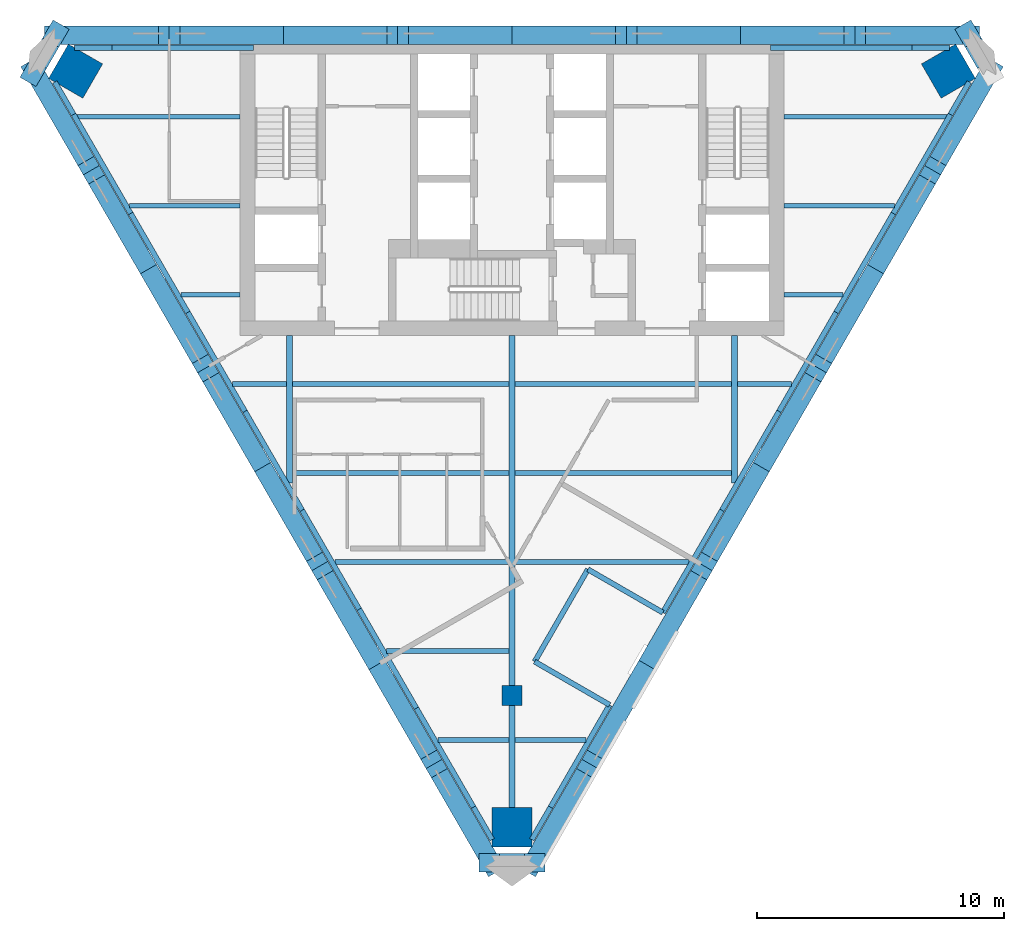
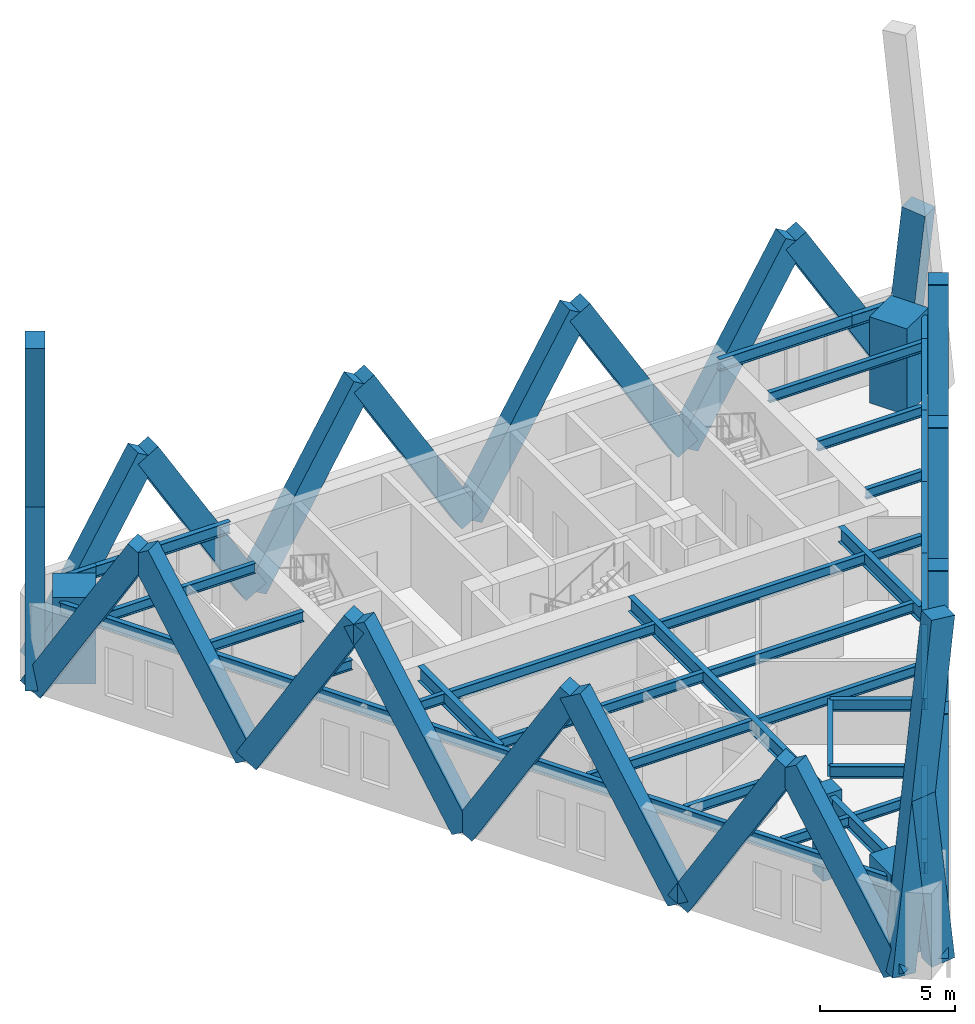
# One storey, part 1 of 7: 45 beams, 29 members, 4 columns.
"""IFC4 building model written with IfcOpenShell, lengths in metres."""

from ifc_helpers import new_model, si_unit, direction, frame, origin, origin_2d, place, context, subcontext, project, spatial, rectangle, i_section, extrude, material, material_profile, profile_set, type_object, element, save


model = new_model("IFC4")

# Units and contexts
model_context = context("Model", 3, precision=1e-05, world=origin(), true_north=direction((0.0, 1.0)))
body_context = subcontext(model_context, "Body", "Model", "MODEL_VIEW")
ifc_project = project(units=[si_unit("LENGTHUNIT", "METRE"), si_unit("AREAUNIT", "SQUARE_METRE"), si_unit("VOLUMEUNIT", "CUBIC_METRE"), si_unit("PLANEANGLEUNIT", "RADIAN"), si_unit("MASSUNIT", "GRAM", prefix="KILO")], contexts=[model_context])

# Site, building, storey
site_placement = place(None, origin())
site = spatial("IfcSite", under=ifc_project, at=site_placement, CompositionType="ELEMENT")
building_placement = place(site_placement, origin())
building = spatial("IfcBuilding", under=site, at=building_placement, Name="Aloe Facet Convention Tower", CompositionType="ELEMENT")
storey_placement = place(building_placement, frame((0.0, 0.0, 269.89990234375)))
storey = spatial("IfcBuildingStorey", under=building, at=storey_placement, Name="L66", CompositionType="ELEMENT", Elevation=269.89990234375)

# Columns
ifc_material_1 = material(Name="Concrete C70/85", Category="concrete")
ifc_material_profile_1 = material_profile(ifc_material_1, rectangle(XDim=0.800048828125, YDim=0.800048828125, at=origin_2d()), Name="SF-GC-Z5")
ifc_profile_set_1 = profile_set([ifc_material_profile_1], Name="Concrete C70/85")
column_type_1 = type_object("IfcColumnType", Name="SF-GC-Z5", PredefinedType="COLUMN", material=ifc_profile_set_1)
column_placement = place(storey_placement, frame((80.0, 108.0, 0.0), z_axis=(0.0, 0.0, 1.0), x_axis=(1.0, 0.0, 0.0)))
element("IfcColumn", 1, at=column_placement, inside=storey, type_object=column_type_1, Name="Gravity column GC-Z5-9D", PredefinedType="COLUMN", context=body_context, shape_type="SweptSolid", body=[
    extrude(rectangle(XDim=0.800048828125, YDim=0.800048828125, at=origin_2d()), origin(), (0.0, 0.0, 1.0), 3.900146484375),
])
ifc_material_2 = material(Name="Concrete C80/95", Category="concrete")
ifc_material_profile_2 = material_profile(ifc_material_2, rectangle(XDim=1.60009765625, YDim=1.60009765625, at=origin_2d()), Name="STW-MC-Z5")
ifc_profile_set_2 = profile_set([ifc_material_profile_2], Name="Concrete C80/95")
column_type_2 = type_object("IfcColumnType", Name="STW-MC-Z5", PredefinedType="COLUMN", material=ifc_profile_set_2)
for number, where, z_axis, x_axis, name in (
    (2, (97.650634765625, 133.247314453125, 0.0), (0.0, 0.0, 1.0), (-0.5, 0.866025403784, 0.0), "Mega-column MC-NE-L66"),
    (3, (62.349365234375, 133.247314453125, 0.0), (0.0, 0.0, 1.0), (-0.5, -0.866025403784, 0.0), "Mega-column MC-NW-L66"),
    (4, (80.0, 102.67578125, 0.0), (0.0, 0.0, 1.0), (1.0, 0.0, 0.0), "Mega-column MC-S-L66"),
):
    element("IfcColumn", number, at=place(storey_placement, frame(where, z_axis=z_axis, x_axis=x_axis)), inside=storey, type_object=column_type_2, Name=name, PredefinedType="COLUMN", context=body_context, shape_type="SweptSolid", body=[
        extrude(rectangle(XDim=1.60009765625, YDim=1.60009765625, at=origin_2d()), origin(), (0.0, 0.0, 1.0), 3.900146484375),
    ])

# Beams
ifc_material_3 = material(Name="Steel S355", Category="steel")
ifc_material_profile_3 = material_profile(ifc_material_3, i_section(OverallWidth=0.19140625, OverallDepth=0.4599609375, WebThickness=0.010009765625, FlangeThickness=0.01611328125, FilletRadius=0.01025390625, at=origin_2d()), Name="UB 457x191x82")
ifc_profile_set_3 = profile_set([ifc_material_profile_3], Name="Steel S355")
beam_type_1 = type_object("IfcBeamType", Name="SF-B-UB457x191x82", PredefinedType="BEAM", material=ifc_profile_set_3)
beam_1_placement = place(storey_placement, frame((62.26611328125, 131.39990234375, 3.52001953125), z_axis=(1.0, 0.0, 0.0), x_axis=(0.0, 1.0, 0.0)))
element("IfcBeam", 5, at=beam_1_placement, inside=storey, type_object=beam_type_1, Name="Floor beam FB-Z5G-029", PredefinedType="BEAM", context=body_context, shape_type="SweptSolid", body=[
    extrude(i_section(OverallWidth=0.19140625, OverallDepth=0.4599609375, WebThickness=0.010009765625, FlangeThickness=0.01611328125, FilletRadius=0.01025390625, at=origin_2d()), origin(), (0.0, 0.0, 1.0), 6.73388671875),
])
beam_2_placement = place(storey_placement, frame((64.53076171875, 127.800048828125, 3.52001953125), z_axis=(1.0, 0.0, 0.0), x_axis=(0.0, 1.0, 0.0)))
element("IfcBeam", 6, at=beam_2_placement, inside=storey, type_object=beam_type_1, Name="Floor beam FB-Z5G-030", PredefinedType="BEAM", context=body_context, shape_type="SweptSolid", body=[
    extrude(i_section(OverallWidth=0.19140625, OverallDepth=0.4599609375, WebThickness=0.010009765625, FlangeThickness=0.01611328125, FilletRadius=0.01025390625, at=origin_2d()), origin(), (0.0, 0.0, 1.0), 4.46923828125),
])
beam_3_placement = place(storey_placement, frame((66.609130859375, 124.199951171875, 3.52001953125), z_axis=(1.0, 0.0, 0.0), x_axis=(0.0, 1.0, 0.0)))
element("IfcBeam", 7, at=beam_3_placement, inside=storey, type_object=beam_type_1, Name="Floor beam FB-Z5G-031", PredefinedType="BEAM", context=body_context, shape_type="SweptSolid", body=[
    extrude(i_section(OverallWidth=0.19140625, OverallDepth=0.4599609375, WebThickness=0.010009765625, FlangeThickness=0.01611328125, FilletRadius=0.01025390625, at=origin_2d()), origin(), (0.0, 0.0, 1.0), 2.390869140625),
])
beam_4_placement = place(storey_placement, frame((68.687744140625, 120.60009765625, 3.52001953125), z_axis=(1.0, 0.0, 0.0), x_axis=(0.0, 1.0, 0.0)))
element("IfcBeam", 8, at=beam_4_placement, inside=storey, type_object=beam_type_1, Name="Floor beam FB-Z5G-032", PredefinedType="BEAM", context=body_context, shape_type="SweptSolid", body=[
    extrude(i_section(OverallWidth=0.19140625, OverallDepth=0.4599609375, WebThickness=0.010009765625, FlangeThickness=0.01611328125, FilletRadius=0.01025390625, at=origin_2d()), origin(), (0.0, 0.0, 1.0), 2.185791015625),
])
for number, where, z_axis, x_axis, name in (
    (9, (71.12646484375, 117.0, 3.52001953125), (1.0, 0.0, 0.0), (0.0, 1.0, 0.0), "Floor beam FB-Z5G-033"),
    (10, (71.12646484375, 120.60009765625, 3.52001953125), (1.0, 0.0, 0.0), (0.0, 1.0, 0.0), "Floor beam FB-Z5G-034"),
):
    element("IfcBeam", number, at=place(storey_placement, frame(where, z_axis=z_axis, x_axis=x_axis)), inside=storey, type_object=beam_type_1, Name=name, PredefinedType="BEAM", context=body_context, shape_type="SweptSolid", body=[
        extrude(i_section(OverallWidth=0.19140625, OverallDepth=0.4599609375, WebThickness=0.010009765625, FlangeThickness=0.01611328125, FilletRadius=0.01025390625, at=origin_2d()), origin(), (0.0, 0.0, 1.0), 8.7470703125),
    ])
beam_5_placement = place(storey_placement, frame((72.844482421875, 113.39990234375, 3.52001953125), z_axis=(1.0, 0.0, 0.0), x_axis=(0.0, 1.0, 0.0)))
element("IfcBeam", 11, at=beam_5_placement, inside=storey, type_object=beam_type_1, Name="Floor beam FB-Z5G-035", PredefinedType="BEAM", context=body_context, shape_type="SweptSolid", body=[
    extrude(i_section(OverallWidth=0.19140625, OverallDepth=0.4599609375, WebThickness=0.010009765625, FlangeThickness=0.01611328125, FilletRadius=0.01025390625, at=origin_2d()), origin(), (0.0, 0.0, 1.0), 7.029052734375),
])
beam_6_placement = place(storey_placement, frame((74.923095703125, 109.800048828125, 3.52001953125), z_axis=(1.0, 0.0, 0.0), x_axis=(0.0, 1.0, 0.0)))
element("IfcBeam", 12, at=beam_6_placement, inside=storey, type_object=beam_type_1, Name="Floor beam FB-Z5G-036", PredefinedType="BEAM", context=body_context, shape_type="SweptSolid", body=[
    extrude(i_section(OverallWidth=0.19140625, OverallDepth=0.4599609375, WebThickness=0.010009765625, FlangeThickness=0.01611328125, FilletRadius=0.01025390625, at=origin_2d()), origin(), (0.0, 0.0, 1.0), 4.950439453125),
])
for number, where, z_axis, x_axis, name in (
    (13, (77.00146484375, 106.199951171875, 3.52001953125), (1.0, 0.0, 0.0), (0.0, 1.0, 0.0), "Floor beam FB-Z5G-037"),
    (14, (80.12646484375, 106.199951171875, 3.52001953125), (1.0, 0.0, 0.0), (0.0, 1.0, 0.0), "Floor beam FB-Z5G-038"),
):
    element("IfcBeam", number, at=place(storey_placement, frame(where, z_axis=z_axis, x_axis=x_axis)), inside=storey, type_object=beam_type_1, Name=name, PredefinedType="BEAM", context=body_context, shape_type="SweptSolid", body=[
        extrude(i_section(OverallWidth=0.19140625, OverallDepth=0.4599609375, WebThickness=0.010009765625, FlangeThickness=0.01611328125, FilletRadius=0.01025390625, at=origin_2d()), origin(), (0.0, 0.0, 1.0), 2.8720703125),
    ])
beam_7_placement = place(storey_placement, frame((80.12646484375, 113.39990234375, 3.52001953125), z_axis=(1.0, 0.0, 0.0), x_axis=(0.0, 1.0, 0.0)))
element("IfcBeam", 15, at=beam_7_placement, inside=storey, type_object=beam_type_1, Name="Floor beam FB-Z5G-039", PredefinedType="BEAM", context=body_context, shape_type="SweptSolid", body=[
    extrude(i_section(OverallWidth=0.19140625, OverallDepth=0.4599609375, WebThickness=0.010009765625, FlangeThickness=0.01611328125, FilletRadius=0.01025390625, at=origin_2d()), origin(), (0.0, 0.0, 1.0), 7.029052734375),
])
for number, where, z_axis, x_axis, name in (
    (16, (80.12646484375, 117.0, 3.52001953125), (1.0, 0.0, 0.0), (0.0, 1.0, 0.0), "Floor beam FB-Z5G-040"),
    (17, (80.12646484375, 120.60009765625, 3.52001953125), (1.0, 0.0, 0.0), (0.0, 1.0, 0.0), "Floor beam FB-Z5G-041"),
):
    element("IfcBeam", number, at=place(storey_placement, frame(where, z_axis=z_axis, x_axis=x_axis)), inside=storey, type_object=beam_type_1, Name=name, PredefinedType="BEAM", context=body_context, shape_type="SweptSolid", body=[
        extrude(i_section(OverallWidth=0.19140625, OverallDepth=0.4599609375, WebThickness=0.010009765625, FlangeThickness=0.01611328125, FilletRadius=0.01025390625, at=origin_2d()), origin(), (0.0, 0.0, 1.0), 8.7470703125),
    ])
beam_8_placement = place(storey_placement, frame((89.12646484375, 120.60009765625, 3.52001953125), z_axis=(1.0, 0.0, 0.0), x_axis=(0.0, 1.0, 0.0)))
element("IfcBeam", 18, at=beam_8_placement, inside=storey, type_object=beam_type_1, Name="Floor beam FB-Z5G-042", PredefinedType="BEAM", context=body_context, shape_type="SweptSolid", body=[
    extrude(i_section(OverallWidth=0.19140625, OverallDepth=0.4599609375, WebThickness=0.010009765625, FlangeThickness=0.01611328125, FilletRadius=0.01025390625, at=origin_2d()), origin(), (0.0, 0.0, 1.0), 2.185791015625),
])
beam_9_placement = place(storey_placement, frame((91.0, 124.199951171875, 3.52001953125), z_axis=(1.0, 0.0, 0.0), x_axis=(0.0, 1.0, 0.0)))
element("IfcBeam", 19, at=beam_9_placement, inside=storey, type_object=beam_type_1, Name="Floor beam FB-Z5G-043", PredefinedType="BEAM", context=body_context, shape_type="SweptSolid", body=[
    extrude(i_section(OverallWidth=0.19140625, OverallDepth=0.4599609375, WebThickness=0.010009765625, FlangeThickness=0.01611328125, FilletRadius=0.01025390625, at=origin_2d()), origin(), (0.0, 0.0, 1.0), 2.390869140625),
])
beam_10_placement = place(storey_placement, frame((91.0, 127.800048828125, 3.52001953125), z_axis=(1.0, 0.0, 0.0), x_axis=(0.0, 1.0, 0.0)))
element("IfcBeam", 20, at=beam_10_placement, inside=storey, type_object=beam_type_1, Name="Floor beam FB-Z5G-044", PredefinedType="BEAM", context=body_context, shape_type="SweptSolid", body=[
    extrude(i_section(OverallWidth=0.19140625, OverallDepth=0.4599609375, WebThickness=0.010009765625, FlangeThickness=0.01611328125, FilletRadius=0.01025390625, at=origin_2d()), origin(), (0.0, 0.0, 1.0), 4.46923828125),
])
beam_11_placement = place(storey_placement, frame((91.0, 131.39990234375, 3.52001953125), z_axis=(1.0, 0.0, 0.0), x_axis=(0.0, 1.0, 0.0)))
element("IfcBeam", 21, at=beam_11_placement, inside=storey, type_object=beam_type_1, Name="Floor beam FB-Z5G-045", PredefinedType="BEAM", context=body_context, shape_type="SweptSolid", body=[
    extrude(i_section(OverallWidth=0.19140625, OverallDepth=0.4599609375, WebThickness=0.010009765625, FlangeThickness=0.01611328125, FilletRadius=0.01025390625, at=origin_2d()), origin(), (0.0, 0.0, 1.0), 6.73388671875),
])
ifc_material_4 = material(Name="Steel S355", Category="steel")
ifc_material_profile_4 = material_profile(ifc_material_4, i_section(OverallWidth=0.209228515625, OverallDepth=0.533203125, WebThickness=0.010009765625, FlangeThickness=0.015625, FilletRadius=0.0126953125, at=origin_2d()), Name="UB 533x210x92")
ifc_profile_set_4 = profile_set([ifc_material_profile_4], Name="Steel S355")
beam_type_2 = type_object("IfcBeamType", Name="SF-B-UB533x210x92", PredefinedType="BEAM", material=ifc_profile_set_4)
for number, where, z_axis, x_axis, name in (
    (22, (62.26611328125, 131.495849609375, 3.483642578125), (-0.49996389635, 0.866046247233, 0.0), (-0.866046247233, -0.49996389635, 0.0), "Floor beam FB-Z5G-001"),
    (23, (62.3076171875, 134.1953125, 3.483642578125), (1.0, 0.0, 0.0), (0.0, 1.0, 0.0), "Floor beam FB-Z5G-002"),
):
    element("IfcBeam", number, at=place(storey_placement, frame(where, z_axis=z_axis, x_axis=x_axis)), inside=storey, type_object=beam_type_2, Name=name, PredefinedType="BEAM", context=body_context, shape_type="SweptSolid", body=[
        extrude(i_section(OverallWidth=0.209228515625, OverallDepth=0.533203125, WebThickness=0.010009765625, FlangeThickness=0.015625, FilletRadius=0.0126953125, at=origin_2d()), origin(), (0.0, 0.0, 1.0), 1.51708984375),
    ])
beam_12_placement = place(storey_placement, frame((63.82470703125, 134.1953125, 3.483642578125), z_axis=(1.0, 0.0, 0.0), x_axis=(0.0, 1.0, 0.0)))
element("IfcBeam", 24, at=beam_12_placement, inside=storey, type_object=beam_type_2, Name="Floor beam FB-Z5G-003", PredefinedType="BEAM", context=body_context, shape_type="SweptSolid", body=[
    extrude(i_section(OverallWidth=0.209228515625, OverallDepth=0.533203125, WebThickness=0.010009765625, FlangeThickness=0.015625, FilletRadius=0.0126953125, at=origin_2d()), origin(), (0.0, 0.0, 1.0), 5.721435546875),
])
beam_13_placement = place(storey_placement, frame((64.576904296875, 127.493408203125, 3.483642578125), z_axis=(-0.49999681804, 0.866027240882, 0.0), x_axis=(-0.866027240882, -0.49999681804, 0.0)))
element("IfcBeam", 25, at=beam_13_placement, inside=storey, type_object=beam_type_2, Name="Floor beam FB-Z5G-004", PredefinedType="BEAM", context=body_context, shape_type="SweptSolid", body=[
    extrude(i_section(OverallWidth=0.209228515625, OverallDepth=0.533203125, WebThickness=0.010009765625, FlangeThickness=0.015625, FilletRadius=0.0126953125, at=origin_2d()), origin(), (0.0, 0.0, 1.0), 4.62158203125),
])
beam_14_placement = place(storey_placement, frame((66.8876953125, 123.4912109375, 3.483642578125), z_axis=(-0.500019693086, 0.866014033677, 0.0), x_axis=(-0.866014033677, -0.500019693086, 0.0)))
element("IfcBeam", 26, at=beam_14_placement, inside=storey, type_object=beam_type_2, Name="Floor beam FB-Z5G-005", PredefinedType="BEAM", context=body_context, shape_type="SweptSolid", body=[
    extrude(i_section(OverallWidth=0.209228515625, OverallDepth=0.533203125, WebThickness=0.010009765625, FlangeThickness=0.015625, FilletRadius=0.0126953125, at=origin_2d()), origin(), (0.0, 0.0, 1.0), 4.621337890625),
])
for number, where, z_axis, x_axis, name in (
    (27, (69.198486328125, 119.48876953125, 3.483642578125), (-0.49999681804, 0.866027240882, 0.0), (-0.866027240882, -0.49999681804, 0.0), "Floor beam FB-Z5G-006"),
    (28, (71.50927734375, 115.486328125, 3.483642578125), (-0.49999681804, 0.866027240882, 0.0), (-0.866027240882, -0.49999681804, 0.0), "Floor beam FB-Z5G-007"),
    (29, (73.81982421875, 111.48388671875, 3.483642578125), (-0.499957196903, 0.866050114754, 0.0), (-0.866050114754, -0.499957196903, 0.0), "Floor beam FB-Z5G-008"),
):
    element("IfcBeam", number, at=place(storey_placement, frame(where, z_axis=z_axis, x_axis=x_axis)), inside=storey, type_object=beam_type_2, Name=name, PredefinedType="BEAM", context=body_context, shape_type="SweptSolid", body=[
        extrude(i_section(OverallWidth=0.209228515625, OverallDepth=0.533203125, WebThickness=0.010009765625, FlangeThickness=0.015625, FilletRadius=0.0126953125, at=origin_2d()), origin(), (0.0, 0.0, 1.0), 4.62158203125),
    ])
beam_15_placement = place(storey_placement, frame((76.130615234375, 107.481689453125, 3.483642578125), z_axis=(-0.500019693086, 0.866014033677, 0.0), x_axis=(-0.866014033677, -0.500019693086, 0.0)))
element("IfcBeam", 30, at=beam_15_placement, inside=storey, type_object=beam_type_2, Name="Floor beam FB-Z5G-009", PredefinedType="BEAM", context=body_context, shape_type="SweptSolid", body=[
    extrude(i_section(OverallWidth=0.209228515625, OverallDepth=0.533203125, WebThickness=0.010009765625, FlangeThickness=0.015625, FilletRadius=0.0126953125, at=origin_2d()), origin(), (0.0, 0.0, 1.0), 4.621337890625),
])
beam_16_placement = place(storey_placement, frame((78.44140625, 103.479248046875, 3.483642578125), z_axis=(-0.49999681804, 0.866027240882, 0.0), x_axis=(-0.866027240882, -0.49999681804, 0.0)))
element("IfcBeam", 31, at=beam_16_placement, inside=storey, type_object=beam_type_2, Name="Floor beam FB-Z5G-010", PredefinedType="BEAM", context=body_context, shape_type="SweptSolid", body=[
    extrude(i_section(OverallWidth=0.209228515625, OverallDepth=0.533203125, WebThickness=0.010009765625, FlangeThickness=0.015625, FilletRadius=0.0126953125, at=origin_2d()), origin(), (0.0, 0.0, 1.0), 4.62158203125),
])
beam_17_placement = place(storey_placement, frame((79.199951171875, 102.16552734375, 3.483642578125), z_axis=(-0.500033579465, 0.866006015803, 0.0), x_axis=(-0.866006015803, -0.500033579465, 0.0)))
element("IfcBeam", 32, at=beam_17_placement, inside=storey, type_object=beam_type_2, Name="Floor beam FB-Z5G-011", PredefinedType="BEAM", context=body_context, shape_type="SweptSolid", body=[
    extrude(i_section(OverallWidth=0.209228515625, OverallDepth=0.533203125, WebThickness=0.010009765625, FlangeThickness=0.015625, FilletRadius=0.0126953125, at=origin_2d()), origin(), (0.0, 0.0, 1.0), 1.51708984375),
])
beam_18_placement = place(storey_placement, frame((80.916259765625, 109.366943359375, 3.483642578125), z_axis=(0.866036909293, -0.499980071345, 0.0), x_axis=(0.499980071345, 0.866036909293, 0.0)))
element("IfcBeam", 33, at=beam_18_placement, inside=storey, type_object=beam_type_2, Name="Floor beam FB-Z5G-012", PredefinedType="BEAM", context=body_context, shape_type="SweptSolid", body=[
    extrude(i_section(OverallWidth=0.209228515625, OverallDepth=0.533203125, WebThickness=0.010009765625, FlangeThickness=0.015625, FilletRadius=0.0126953125, at=origin_2d()), origin(), (0.0, 0.0, 1.0), 3.500244140625),
])
beam_19_placement = place(storey_placement, frame((81.55859375, 103.479248046875, 3.483642578125), z_axis=(-0.500033579465, -0.866006015803, 0.0), x_axis=(0.866006015803, -0.500033579465, 0.0)))
element("IfcBeam", 34, at=beam_19_placement, inside=storey, type_object=beam_type_2, Name="Floor beam FB-Z5G-013", PredefinedType="BEAM", context=body_context, shape_type="SweptSolid", body=[
    extrude(i_section(OverallWidth=0.209228515625, OverallDepth=0.533203125, WebThickness=0.010009765625, FlangeThickness=0.015625, FilletRadius=0.0126953125, at=origin_2d()), origin(), (0.0, 0.0, 1.0), 1.51708984375),
])
beam_20_placement = place(storey_placement, frame((83.07080078125, 113.098876953125, 3.483642578125), z_axis=(-0.49998401396, -0.866034633132, 0.0), x_axis=(0.866034633132, -0.49998401396, 0.0)))
element("IfcBeam", 35, at=beam_20_placement, inside=storey, type_object=beam_type_2, Name="Floor beam FB-Z5G-014", PredefinedType="BEAM", context=body_context, shape_type="SweptSolid", body=[
    extrude(i_section(OverallWidth=0.209228515625, OverallDepth=0.533203125, WebThickness=0.010009765625, FlangeThickness=0.015625, FilletRadius=0.0126953125, at=origin_2d()), origin(), (0.0, 0.0, 1.0), 4.309326171875),
])
beam_21_placement = place(storey_placement, frame((83.947509765625, 107.616943359375, 3.483642578125), z_axis=(-0.500002592159, -0.866023907196, 0.0), x_axis=(0.866023907196, -0.500002592159, 0.0)))
element("IfcBeam", 36, at=beam_21_placement, inside=storey, type_object=beam_type_2, Name="Floor beam FB-Z5G-015", PredefinedType="BEAM", context=body_context, shape_type="SweptSolid", body=[
    extrude(i_section(OverallWidth=0.209228515625, OverallDepth=0.533203125, WebThickness=0.010009765625, FlangeThickness=0.015625, FilletRadius=0.0126953125, at=origin_2d()), origin(), (0.0, 0.0, 1.0), 4.77783203125),
])
beam_22_placement = place(storey_placement, frame((86.10205078125, 111.348876953125, 3.483642578125), z_axis=(-0.866036909293, 0.499980071345, 0.0), x_axis=(-0.499980071345, -0.866036909293, 0.0)))
element("IfcBeam", 37, at=beam_22_placement, inside=storey, type_object=beam_type_2, Name="Floor beam FB-Z5G-016", PredefinedType="BEAM", context=body_context, shape_type="SweptSolid", body=[
    extrude(i_section(OverallWidth=0.209228515625, OverallDepth=0.533203125, WebThickness=0.010009765625, FlangeThickness=0.015625, FilletRadius=0.0126953125, at=origin_2d()), origin(), (0.0, 0.0, 1.0), 3.500244140625),
])
beam_23_placement = place(storey_placement, frame((88.49072265625, 115.486328125, 3.483642578125), z_axis=(-0.499986393452, -0.866033259386, 0.0), x_axis=(0.866033259386, -0.499986393452, 0.0)))
element("IfcBeam", 38, at=beam_23_placement, inside=storey, type_object=beam_type_2, Name="Floor beam FB-Z5G-017", PredefinedType="BEAM", context=body_context, shape_type="SweptSolid", body=[
    extrude(i_section(OverallWidth=0.209228515625, OverallDepth=0.533203125, WebThickness=0.010009765625, FlangeThickness=0.015625, FilletRadius=0.0126953125, at=origin_2d()), origin(), (0.0, 0.0, 1.0), 4.777587890625),
])
beam_24_placement = place(storey_placement, frame((90.453857421875, 134.1953125, 3.483642578125), z_axis=(1.0, 0.0, 0.0), x_axis=(0.0, 1.0, 0.0)))
element("IfcBeam", 39, at=beam_24_placement, inside=storey, type_object=beam_type_2, Name="Floor beam FB-Z5G-018", PredefinedType="BEAM", context=body_context, shape_type="SweptSolid", body=[
    extrude(i_section(OverallWidth=0.209228515625, OverallDepth=0.533203125, WebThickness=0.010009765625, FlangeThickness=0.015625, FilletRadius=0.0126953125, at=origin_2d()), origin(), (0.0, 0.0, 1.0), 5.721435546875),
])
for number, where, z_axis, x_axis, name in (
    (40, (90.801513671875, 119.48876953125, 3.483642578125), (-0.49999681804, -0.866027240882, 0.0), (0.866027240882, -0.49999681804, 0.0), "Floor beam FB-Z5G-019"),
    (41, (93.1123046875, 123.4912109375, 3.483642578125), (-0.49999681804, -0.866027240882, 0.0), (0.866027240882, -0.49999681804, 0.0), "Floor beam FB-Z5G-020"),
):
    element("IfcBeam", number, at=place(storey_placement, frame(where, z_axis=z_axis, x_axis=x_axis)), inside=storey, type_object=beam_type_2, Name=name, PredefinedType="BEAM", context=body_context, shape_type="SweptSolid", body=[
        extrude(i_section(OverallWidth=0.209228515625, OverallDepth=0.533203125, WebThickness=0.010009765625, FlangeThickness=0.015625, FilletRadius=0.0126953125, at=origin_2d()), origin(), (0.0, 0.0, 1.0), 4.62158203125),
    ])
beam_25_placement = place(storey_placement, frame((95.423095703125, 127.493408203125, 3.483642578125), z_axis=(-0.500019693086, -0.866014033677, 0.0), x_axis=(0.866014033677, -0.500019693086, 0.0)))
element("IfcBeam", 42, at=beam_25_placement, inside=storey, type_object=beam_type_2, Name="Floor beam FB-Z5G-021", PredefinedType="BEAM", context=body_context, shape_type="SweptSolid", body=[
    extrude(i_section(OverallWidth=0.209228515625, OverallDepth=0.533203125, WebThickness=0.010009765625, FlangeThickness=0.015625, FilletRadius=0.0126953125, at=origin_2d()), origin(), (0.0, 0.0, 1.0), 4.621337890625),
])
beam_26_placement = place(storey_placement, frame((96.17529296875, 134.1953125, 3.483642578125), z_axis=(1.0, 0.0, 0.0), x_axis=(0.0, 1.0, 0.0)))
element("IfcBeam", 43, at=beam_26_placement, inside=storey, type_object=beam_type_2, Name="Floor beam FB-Z5G-022", PredefinedType="BEAM", context=body_context, shape_type="SweptSolid", body=[
    extrude(i_section(OverallWidth=0.209228515625, OverallDepth=0.533203125, WebThickness=0.010009765625, FlangeThickness=0.015625, FilletRadius=0.0126953125, at=origin_2d()), origin(), (0.0, 0.0, 1.0), 1.51708984375),
])
beam_27_placement = place(storey_placement, frame((97.73388671875, 131.495849609375, 3.483642578125), z_axis=(-0.49999681804, -0.866027240882, 0.0), x_axis=(0.866027240882, -0.49999681804, 0.0)))
element("IfcBeam", 44, at=beam_27_placement, inside=storey, type_object=beam_type_2, Name="Floor beam FB-Z5G-023", PredefinedType="BEAM", context=body_context, shape_type="SweptSolid", body=[
    extrude(i_section(OverallWidth=0.209228515625, OverallDepth=0.533203125, WebThickness=0.010009765625, FlangeThickness=0.015625, FilletRadius=0.0126953125, at=origin_2d()), origin(), (0.0, 0.0, 1.0), 4.62158203125),
])
beam_28_placement = place(storey_placement, frame((98.492431640625, 132.809814453125, 3.483642578125), z_axis=(-0.49996389635, -0.866046247233, 0.0), x_axis=(0.866046247233, -0.49996389635, 0.0)))
element("IfcBeam", 45, at=beam_28_placement, inside=storey, type_object=beam_type_2, Name="Floor beam FB-Z5G-024", PredefinedType="BEAM", context=body_context, shape_type="SweptSolid", body=[
    extrude(i_section(OverallWidth=0.209228515625, OverallDepth=0.533203125, WebThickness=0.010009765625, FlangeThickness=0.015625, FilletRadius=0.0126953125, at=origin_2d()), origin(), (0.0, 0.0, 1.0), 1.51708984375),
])
ifc_material_5 = material(Name="Steel S355", Category="steel")
ifc_material_profile_5 = material_profile(ifc_material_5, i_section(OverallWidth=0.2529296875, OverallDepth=0.677978515625, WebThickness=0.01171875, FlangeThickness=0.01611328125, FilletRadius=0.01513671875, at=origin_2d()), Name="UB 686x254x125")
ifc_profile_set_5 = profile_set([ifc_material_profile_5], Name="Steel S355")
beam_type_3 = type_object("IfcBeamType", Name="SF-B-UB686x254x125", PredefinedType="BEAM", material=ifc_profile_set_5)
beam_29_placement = place(storey_placement, frame((71.0, 122.550048828125, 3.4111328125), z_axis=(0.0, -1.0, 0.0), x_axis=(1.0, 0.0, 0.0)))
element("IfcBeam", 46, at=beam_29_placement, inside=storey, type_object=beam_type_3, Name="Floor beam FB-Z5G-025", PredefinedType="BEAM", context=body_context, shape_type="SweptSolid", body=[
    extrude(i_section(OverallWidth=0.2529296875, OverallDepth=0.677978515625, WebThickness=0.01171875, FlangeThickness=0.01611328125, FilletRadius=0.01513671875, at=origin_2d()), origin(), (0.0, 0.0, 1.0), 5.96240234375),
])
beam_30_placement = place(storey_placement, frame((80.0, 107.60009765625, 3.4111328125), z_axis=(0.0, -1.0, 0.0), x_axis=(1.0, 0.0, 0.0)))
element("IfcBeam", 47, at=beam_30_placement, inside=storey, type_object=beam_type_3, Name="Floor beam FB-Z5G-026", PredefinedType="BEAM", context=body_context, shape_type="SweptSolid", body=[
    extrude(i_section(OverallWidth=0.2529296875, OverallDepth=0.677978515625, WebThickness=0.01171875, FlangeThickness=0.01611328125, FilletRadius=0.01513671875, at=origin_2d()), origin(), (0.0, 0.0, 1.0), 5.60498046875),
])
beam_31_placement = place(storey_placement, frame((80.0, 122.550048828125, 3.4111328125), z_axis=(0.0, -1.0, 0.0), x_axis=(1.0, 0.0, 0.0)))
element("IfcBeam", 48, at=beam_31_placement, inside=storey, type_object=beam_type_3, Name="Floor beam FB-Z5G-027", PredefinedType="BEAM", context=body_context, shape_type="SweptSolid", body=[
    extrude(i_section(OverallWidth=0.2529296875, OverallDepth=0.677978515625, WebThickness=0.01171875, FlangeThickness=0.01611328125, FilletRadius=0.01513671875, at=origin_2d()), origin(), (0.0, 0.0, 1.0), 14.150146484375),
])
beam_32_placement = place(storey_placement, frame((89.0, 122.550048828125, 3.4111328125), z_axis=(0.0, -1.0, 0.0), x_axis=(1.0, 0.0, 0.0)))
element("IfcBeam", 49, at=beam_32_placement, inside=storey, type_object=beam_type_3, Name="Floor beam FB-Z5G-028", PredefinedType="BEAM", context=body_context, shape_type="SweptSolid", body=[
    extrude(i_section(OverallWidth=0.2529296875, OverallDepth=0.677978515625, WebThickness=0.01171875, FlangeThickness=0.01611328125, FilletRadius=0.01513671875, at=origin_2d()), origin(), (0.0, 0.0, 1.0), 5.96240234375),
])

# Members
ifc_material_6 = material(Name="Concrete C60/75, bronze oxide finish", Category="concrete")
ifc_material_profile_6 = material_profile(ifc_material_6, rectangle(XDim=0.75, YDim=1.0, at=origin_2d()), Name="STW-LM")
ifc_profile_set_6 = profile_set([ifc_material_profile_6], Name="Concrete C60/75, bronze oxide finish")
member_type = type_object("IfcMemberType", Name="STW-LM", PredefinedType="BRACE", material=ifc_profile_set_6)
for number, where, z_axis, x_axis, name in (
    (50, (98.486083984375, 134.699951171875, 0.0), (-0.50974776773, 0.0, 0.860323900223), (0.0, -1.0, 0.0), "Lattice member LM-Z5-F1-R4-01"),
    (51, (89.2431640625, 134.699951171875, 0.0), (0.509727836338, 0.0, 0.860335709396), (0.0, 1.0, 0.0), "Lattice member LM-Z5-F1-R4-02"),
    (52, (89.2431640625, 134.699951171875, 0.0), (-0.50974776773, 0.0, 0.860323900223), (0.0, -1.0, 0.0), "Lattice member LM-Z5-F1-R4-03"),
    (53, (80.0, 134.699951171875, 0.0), (0.50974776773, 0.0, 0.860323900223), (0.0, 1.0, 0.0), "Lattice member LM-Z5-F1-R4-04"),
    (54, (80.0, 134.699951171875, 0.0), (-0.50974776773, 0.0, 0.860323900223), (0.0, -1.0, 0.0), "Lattice member LM-Z5-F1-R4-05"),
    (55, (70.7568359375, 134.699951171875, 0.0), (0.50974776773, 0.0, 0.860323900223), (0.0, 1.0, 0.0), "Lattice member LM-Z5-F1-R4-06"),
    (56, (70.7568359375, 134.699951171875, 0.0), (-0.509727836338, 0.0, 0.860335709396), (0.0, -1.0, 0.0), "Lattice member LM-Z5-F1-R4-07"),
    (57, (61.513916015625, 134.699951171875, 0.0), (0.50974776773, 0.0, 0.860323900223), (0.0, 1.0, 0.0), "Lattice member LM-Z5-F1-R4-08"),
    (58, (60.673583984375, 133.24462890625, 0.0), (0.254876492185, -0.441435851704, 0.860332704575), (0.866014033677, 0.500019693086, 0.0), "Lattice member LM-Z5-F2-R4-01"),
    (59, (65.295166015625, 125.239990234375, 0.0), (-0.254873462398, 0.441457532229, 0.860322477565), (-0.866027240882, -0.49999681804, 0.0), "Lattice member LM-Z5-F2-R4-02"),
    (60, (65.295166015625, 125.239990234375, 0.0), (0.254873462398, -0.441457532229, 0.860322477565), (0.866027240882, 0.49999681804, 0.0), "Lattice member LM-Z5-F2-R4-03"),
    (61, (69.916748046875, 117.2353515625, 0.0), (-0.254876492185, 0.441435851704, 0.860332704575), (-0.866014033677, -0.500019693086, 0.0), "Lattice member LM-Z5-F2-R4-04"),
    (62, (69.916748046875, 117.2353515625, 0.0), (0.254873462398, -0.441457532229, 0.860322477565), (0.866027240882, 0.49999681804, 0.0), "Lattice member LM-Z5-F2-R4-05"),
    (63, (74.538330078125, 109.23046875, 0.0), (-0.254873462398, 0.441457532229, 0.860322477565), (-0.866027240882, -0.49999681804, 0.0), "Lattice member LM-Z5-F2-R4-06"),
    (64, (74.538330078125, 109.23046875, 0.0), (0.254876492185, -0.441435851704, 0.860332704575), (0.866014033677, 0.500019693086, 0.0), "Lattice member LM-Z5-F2-R4-07"),
    (65, (79.159912109375, 101.225830078125, 0.0), (-0.254873462398, 0.441457532229, 0.860322477565), (-0.866027240882, -0.49999681804, 0.0), "Lattice member LM-Z5-F2-R4-08"),
    (66, (80.840087890625, 101.225830078125, 0.0), (0.254873462398, 0.441457532229, 0.860322477565), (-0.866027240882, 0.49999681804, 0.0), "Lattice member LM-Z5-F3-R4-01"),
    (67, (85.461669921875, 109.23046875, 0.0), (-0.254876492185, -0.441435851704, 0.860332704575), (0.866014033677, -0.500019693086, 0.0), "Lattice member LM-Z5-F3-R4-02"),
    (68, (85.461669921875, 109.23046875, 0.0), (0.254873462398, 0.441457532229, 0.860322477565), (-0.866027240882, 0.49999681804, 0.0), "Lattice member LM-Z5-F3-R4-03"),
    (69, (90.083251953125, 117.2353515625, 0.0), (-0.254873462398, -0.441457532229, 0.860322477565), (0.866027240882, -0.49999681804, 0.0), "Lattice member LM-Z5-F3-R4-04"),
    (70, (90.083251953125, 117.2353515625, 0.0), (0.254876492185, 0.441435851704, 0.860332704575), (-0.866014033677, 0.500019693086, 0.0), "Lattice member LM-Z5-F3-R4-05"),
    (71, (94.704833984375, 125.239990234375, 0.0), (-0.254873462398, -0.441457532229, 0.860322477565), (0.866027240882, -0.49999681804, 0.0), "Lattice member LM-Z5-F3-R4-06"),
    (72, (94.704833984375, 125.239990234375, 0.0), (0.254873462398, 0.441457532229, 0.860322477565), (-0.866027240882, 0.49999681804, 0.0), "Lattice member LM-Z5-F3-R4-07"),
    (73, (99.326416015625, 133.24462890625, 0.0), (-0.254876492185, -0.441435851704, 0.860332704575), (0.866014033677, -0.500019693086, 0.0), "Lattice member LM-Z5-F3-R4-08"),
):
    element("IfcMember", number, at=place(storey_placement, frame(where, z_axis=z_axis, x_axis=x_axis)), inside=storey, type_object=member_type, Name=name, PredefinedType="BRACE", context=body_context, shape_type="SweptSolid", body=[
        extrude(rectangle(XDim=0.75, YDim=1.0, at=origin_2d()), origin(), (0.0, 0.0, 1.0), 9.06640625),
    ])
member_1_placement = place(storey_placement, frame((98.90625, 133.972412109375, 7.800048828125), z_axis=(-0.053557320237, 0.0927372541, -0.994249171562), x_axis=(-0.865962960534, -0.500108139288, 0.0)))
element("IfcMember", 74, at=member_1_placement, inside=storey, type_object=member_type, Name="Lattice member LM-Z5-F6-R4-05", PredefinedType="BRACE", context=body_context, shape_type="SweptSolid", body=[
    extrude(rectangle(XDim=0.75, YDim=1.0, at=origin_2d()), origin(), (0.0, 0.0, 1.0), 7.84521484375),
])
member_2_placement = place(storey_placement, frame((61.513916015625, 134.699951171875, 0.0), z_axis=(-0.053557242948, -0.09275268019, 0.994247736756), x_axis=(0.865999293341, -0.500045221889, 0.0)))
element("IfcMember", 75, at=member_2_placement, inside=storey, type_object=member_type, Name="Lattice member LM-Z5-F4-R4-01", PredefinedType="BRACE", context=body_context, shape_type="SweptSolid", body=[
    extrude(rectangle(XDim=0.75, YDim=1.0, at=origin_2d()), origin(), (0.0, 0.0, 1.0), 15.6904296875),
])
member_3_placement = place(storey_placement, frame((61.09375, 133.972412109375, 7.800048828125), z_axis=(-0.053557165647, -0.092768106214, -0.994246301717), x_axis=(0.866035612436, -0.49998231768, 0.0)))
element("IfcMember", 76, at=member_3_placement, inside=storey, type_object=member_type, Name="Lattice member LM-Z5-F4-R4-05", PredefinedType="BRACE", context=body_context, shape_type="SweptSolid", body=[
    extrude(rectangle(XDim=0.75, YDim=1.0, at=origin_2d()), origin(), (0.0, 0.0, 1.0), 7.84521484375),
])
member_4_placement = place(storey_placement, frame((79.159912109375, 101.225830078125, 0.0), z_axis=(0.107083611851, 0.0, 0.994250018895), x_axis=(0.0, 1.0, 0.0)))
element("IfcMember", 77, at=member_4_placement, inside=storey, type_object=member_type, Name="Lattice member LM-Z5-F5-R4-01", PredefinedType="BRACE", context=body_context, shape_type="SweptSolid", body=[
    extrude(rectangle(XDim=0.75, YDim=1.0, at=origin_2d()), origin(), (0.0, 0.0, 1.0), 15.6904296875),
])
member_5_placement = place(storey_placement, frame((80.0, 101.225830078125, 7.800048828125), z_axis=(0.107083611851, 0.0, -0.994250018895), x_axis=(0.0, 1.0, 0.0)))
element("IfcMember", 78, at=member_5_placement, inside=storey, type_object=member_type, Name="Lattice member LM-Z5-F5-R4-05", PredefinedType="BRACE", context=body_context, shape_type="SweptSolid", body=[
    extrude(rectangle(XDim=0.75, YDim=1.0, at=origin_2d()), origin(), (0.0, 0.0, 1.0), 7.84521484375),
])

save(model, "model.ifc")
